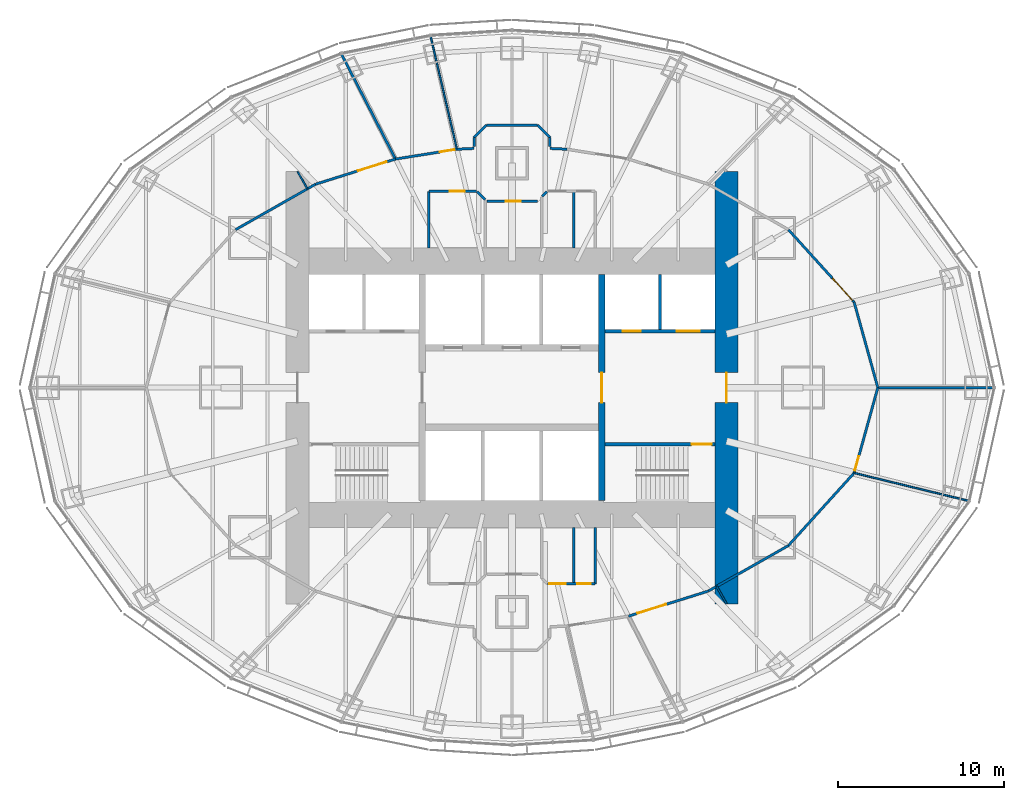
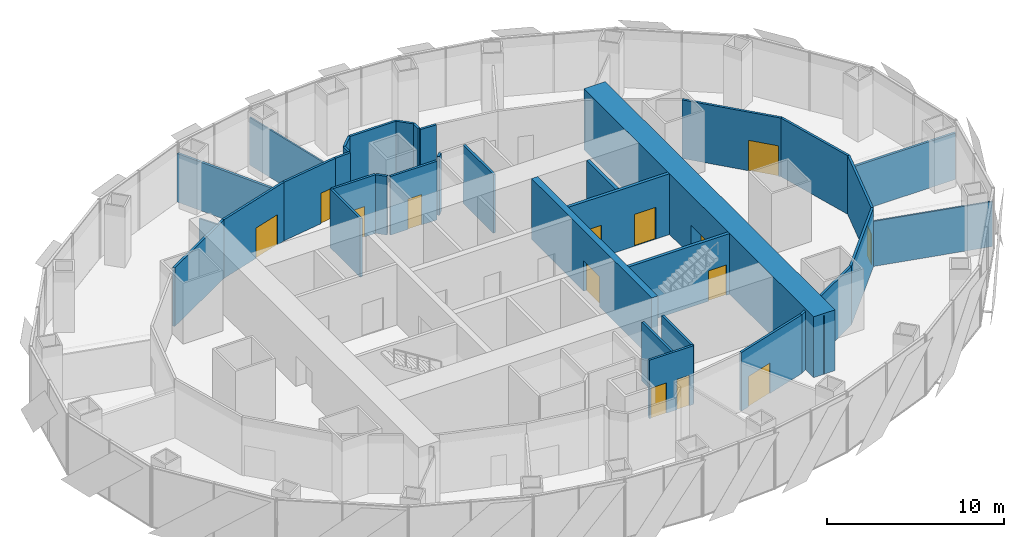
# One storey, part 12 of 18: 36 walls, 14 doors, 14 openings.
"""IFC4 building model written with IfcOpenShell, lengths in metres."""

from ifc_helpers import new_model, si_unit, direction, frame, frame_2d, origin, place, context, subcontext, project, spatial, rectangle, extrude, material, layer, layer_set, type_object, element, fill, save


model = new_model("IFC4")

# Units and contexts
model_context = context("Model", 3, precision=1e-05, world=origin(), true_north=direction((0.0, 1.0)))
body_context = subcontext(model_context, "Body", "Model", "MODEL_VIEW")
ifc_project = project(units=[si_unit("LENGTHUNIT", "METRE"), si_unit("AREAUNIT", "SQUARE_METRE"), si_unit("VOLUMEUNIT", "CUBIC_METRE"), si_unit("PLANEANGLEUNIT", "RADIAN"), si_unit("MASSUNIT", "GRAM", prefix="KILO")], contexts=[model_context])

# Site, building, storey
site_placement = place(None, origin())
site = spatial("IfcSite", under=ifc_project, at=site_placement, CompositionType="ELEMENT")
building_placement = place(site_placement, origin())
building = spatial("IfcBuilding", under=site, at=building_placement, Name="Lantaw Convention Tower", CompositionType="ELEMENT")
storey_placement = place(building_placement, frame((0.0, 0.0, 167.800048828125)))
storey = spatial("IfcBuildingStorey", under=building, at=storey_placement, Name="L39", CompositionType="ELEMENT", Elevation=167.800048828125)

# Wall, opening, door
ifc_material_1 = material(Name="Concrete C60/75", Category="concrete")
ifc_layer_1 = layer(ifc_material_1, 1.39990234375)
ifc_layer_set_1 = layer_set([ifc_layer_1], Name="Core wall 1400")
wall_type_1 = type_object("IfcWallType", Name="Core wall 1400", PredefinedType="SHEAR", material=ifc_layer_set_1)
wall_1_placement = place(storey_placement, frame((12.89990234375, -13.0, 0.0), z_axis=(0.0, 0.0, 1.0), x_axis=(0.0, 1.0, 0.0)))
wall_1 = element("IfcWall", 1, at=wall_1_placement, inside=storey, type_object=wall_type_1, Name="Core wall E", PredefinedType="SHEAR", context=body_context, shape_type="SweptSolid", body=[
    extrude(rectangle(XDim=26.0, YDim=1.39990234375, at=frame_2d((13.0, 0.0))), origin(), (0.0, 0.0, 1.0), 4.199951171875),
])
opening_1_placement = place(wall_1_placement, frame((12.10009765625, 0.0, 0.0)))
opening_1 = element("IfcOpeningElement", 2, at=opening_1_placement, cuts=wall_1, Name="Opening L39.05", PredefinedType="OPENING", context=body_context, shape_type="SweptSolid", body=[
    extrude(rectangle(XDim=1.800048828125, YDim=2.10009765625, at=frame_2d((0.89990234375, 1.050048828125))), frame((0.0, 0.7099609375, 0.0), z_axis=(0.0, -1.0, 0.0), x_axis=(1.0, 0.0, 0.0)), (0.0, 0.0, 1.0), 1.419921875),
])
ifc_material_2 = material(Name="Steel, fire rated", Category="steel")
door_type_1 = type_object("IfcDoorType", Name="Lobby double door FD90", OperationType="DOUBLE_DOOR_DOUBLE_SWING", PredefinedType="DOOR", material=ifc_material_2)
door_1_placement = place(opening_1_placement, origin())
door_1 = element("IfcDoor", 3, at=door_1_placement, inside=storey, type_object=door_type_1, Name="Firefighting lobby door", OperationType="DOUBLE_DOOR_DOUBLE_SWING", OverallHeight=2.10009765625, OverallWidth=1.800048828125, PredefinedType="DOOR", context=body_context, shape_type="SweptSolid", body=[
    extrude(rectangle(XDim=1.800048828125, YDim=2.10009765625, at=frame_2d((0.89990234375, 1.050048828125))), frame((0.0, 0.02490234375, 0.0), z_axis=(0.0, -1.0, 0.0), x_axis=(1.0, 0.0, 0.0)), (0.0, 0.0, 1.0), 0.050048828125),
])
fill(opening_1, door_1)

ifc_layer_2 = layer(ifc_material_1, 0.199951171875)
ifc_layer_set_2 = layer_set([ifc_layer_2], Name="Core wall 200")
wall_type_2 = type_object("IfcWallType", Name="Core wall 200", PredefinedType="SHEAR", material=ifc_layer_set_2)
wall_2_placement = place(storey_placement, frame((5.60009765625, -3.39990234375, 0.0), z_axis=(0.0, 0.0, 1.0), x_axis=(1.0, 0.0, 0.0)))
wall_2 = element("IfcWall", 4, at=wall_2_placement, inside=storey, type_object=wall_type_2, Name="Core wall ES", PredefinedType="SHEAR", context=body_context, shape_type="SweptSolid", body=[
    extrude(rectangle(XDim=6.599853515625, YDim=0.199951171875, at=frame_2d((3.2998046875, 0.0))), origin(), (0.0, 0.0, 1.0), 4.199951171875),
])
opening_2_placement = place(wall_2_placement, frame((5.199951171875, 0.0, 0.0)))
opening_2 = element("IfcOpeningElement", 5, at=opening_2_placement, cuts=wall_2, Name="Opening L39.03", PredefinedType="OPENING", context=body_context, shape_type="SweptSolid", body=[
    extrude(rectangle(XDim=1.199951171875, YDim=2.10009765625, at=frame_2d((0.60009765625, 1.050048828125))), frame((0.0, 0.10986328125, 0.0), z_axis=(0.0, -1.0, 0.0), x_axis=(1.0, 0.0, 0.0)), (0.0, 0.0, 1.0), 0.219970703125),
])
door_type_2 = type_object("IfcDoorType", Name="Stair door FD90", OperationType="SINGLE_SWING_RIGHT", PredefinedType="DOOR", material=ifc_material_2)
door_2_placement = place(opening_2_placement, origin())
door_2 = element("IfcDoor", 6, at=door_2_placement, inside=storey, type_object=door_type_2, Name="Exit stair door", OperationType="SINGLE_SWING_RIGHT", OverallHeight=2.10009765625, OverallWidth=1.199951171875, PredefinedType="DOOR", context=body_context, shape_type="SweptSolid", body=[
    extrude(rectangle(XDim=1.199951171875, YDim=2.10009765625, at=frame_2d((0.60009765625, 1.050048828125))), frame((0.0, 0.02490234375, 0.0), z_axis=(0.0, -1.0, 0.0), x_axis=(1.0, 0.0, 0.0)), (0.0, 0.0, 1.0), 0.050048828125),
])
fill(opening_2, door_2)

ifc_layer_3 = layer(ifc_material_1, 0.39990234375)
ifc_layer_set_3 = layer_set([ifc_layer_3], Name="Core wall 400")
wall_type_3 = type_object("IfcWallType", Name="Core wall 400", PredefinedType="SHEAR", material=ifc_layer_set_3)
wall_3_placement = place(storey_placement, frame((5.39990234375, -6.800048828125, 0.0), z_axis=(0.0, 0.0, 1.0), x_axis=(0.0, 1.0, 0.0)))
wall_3 = element("IfcWall", 7, at=wall_3_placement, inside=storey, type_object=wall_type_3, Name="Core wall XE", PredefinedType="SHEAR", context=body_context, shape_type="SweptSolid", body=[
    extrude(rectangle(XDim=13.60009765625, YDim=0.39990234375, at=frame_2d((6.800048828125, 0.0))), origin(), (0.0, 0.0, 1.0), 4.199951171875),
])
opening_3_placement = place(wall_3_placement, frame((5.89990234375, 0.0, 0.0)))
opening_3 = element("IfcOpeningElement", 8, at=opening_3_placement, cuts=wall_3, Name="Opening L39.01", PredefinedType="OPENING", context=body_context, shape_type="SweptSolid", body=[
    extrude(rectangle(XDim=1.800048828125, YDim=2.10009765625, at=frame_2d((0.89990234375, 1.050048828125))), frame((0.0, 0.2099609375, 0.0), z_axis=(0.0, -1.0, 0.0), x_axis=(1.0, 0.0, 0.0)), (0.0, 0.0, 1.0), 0.419921875),
])
door_3_placement = place(opening_3_placement, origin())
door_3 = element("IfcDoor", 9, at=door_3_placement, inside=storey, type_object=door_type_1, Name="Lift lobby door", OperationType="DOUBLE_DOOR_DOUBLE_SWING", OverallHeight=2.10009765625, OverallWidth=1.800048828125, PredefinedType="DOOR", context=body_context, shape_type="SweptSolid", body=[
    extrude(rectangle(XDim=1.800048828125, YDim=2.10009765625, at=frame_2d((0.89990234375, 1.050048828125))), frame((0.0, 0.02490234375, 0.0), z_axis=(0.0, -1.0, 0.0), x_axis=(1.0, 0.0, 0.0)), (0.0, 0.0, 1.0), 0.050048828125),
])
fill(opening_3, door_3)

# Wall
ifc_material_3 = material(Name="Gypsum board on steel studs, fire rated", Category="steel")
ifc_layer_4 = layer(ifc_material_3, 0.14990234375)
ifc_layer_set_4 = layer_set([ifc_layer_4], Name="Corridor wall 150 EI 60")
wall_type_4 = type_object("IfcWallType", Name="Corridor wall 150 EI 60", PredefinedType="PARTITIONING", material=ifc_layer_set_4)
wall_4_placement = place(storey_placement, frame((22.0, 0.0, 0.0), z_axis=(0.0, 0.0, 1.0), x_axis=(-0.267293817428, 0.963615076244, 0.0)))
element("IfcWall", 10, at=wall_4_placement, inside=storey, type_object=wall_type_4, Name="Corridor wall 150", PredefinedType="PARTITIONING", context=body_context, shape_type="SweptSolid", body=[
    extrude(rectangle(XDim=5.323974609375, YDim=0.14990234375, at=frame_2d((2.662109375, 0.0))), origin(), (0.0, 0.0, 1.0), 4.050048828125),
])

# Wall, opening, door
wall_5_placement = place(storey_placement, frame((20.576904296875, 5.13037109375, 0.0), z_axis=(0.0, 0.0, 1.0), x_axis=(-0.671118353743, 0.741350224435, 0.0)))
wall_5 = element("IfcWall", 11, at=wall_5_placement, inside=storey, type_object=wall_type_4, Name="Corridor wall 150", PredefinedType="PARTITIONING", context=body_context, shape_type="SweptSolid", body=[
    extrude(rectangle(XDim=5.89208984375, YDim=0.14990234375, at=frame_2d((2.946044921875, 0.0))), origin(), (0.0, 0.0, 1.0), 4.050048828125),
])
opening_4_placement = place(wall_5_placement, frame((0.14990234375, 0.0, 0.0)))
opening_4 = element("IfcOpeningElement", 12, at=opening_4_placement, cuts=wall_5, Name="Opening L39.22", PredefinedType="OPENING", context=body_context, shape_type="SweptSolid", body=[
    extrude(rectangle(XDim=1.800048828125, YDim=2.10009765625, at=frame_2d((0.89990234375, 1.050048828125))), frame((0.0, 0.0849609375, 0.0), z_axis=(0.0, -1.0, 0.0), x_axis=(1.0, 0.0, 0.0)), (0.0, 0.0, 1.0), 0.169921875),
])
door_type_3 = type_object("IfcDoorType", Name="Office double door 1800 FD30", OperationType="DOUBLE_DOOR_DOUBLE_SWING", PredefinedType="DOOR", material=ifc_material_2)
door_4_placement = place(opening_4_placement, origin())
door_4 = element("IfcDoor", 13, at=door_4_placement, inside=storey, type_object=door_type_3, Name="Tenant suite door", OperationType="DOUBLE_DOOR_DOUBLE_SWING", OverallHeight=2.10009765625, OverallWidth=1.800048828125, PredefinedType="DOOR", context=body_context, shape_type="SweptSolid", body=[
    extrude(rectangle(XDim=1.800048828125, YDim=2.10009765625, at=frame_2d((0.89990234375, 1.050048828125))), frame((0.0, 0.02490234375, 0.0), z_axis=(0.0, -1.0, 0.0), x_axis=(1.0, 0.0, 0.0)), (0.0, 0.0, 1.0), 0.050048828125),
])
fill(opening_4, door_4)

wall_6_placement = place(storey_placement, frame((-3.3095703125, 14.3349609375, 0.0), z_axis=(0.0, 0.0, 1.0), x_axis=(-0.987511396594, -0.157547585181, 0.0)))
wall_6 = element("IfcWall", 14, at=wall_6_placement, inside=storey, type_object=wall_type_4, Name="Corridor wall 150", PredefinedType="PARTITIONING", context=body_context, shape_type="SweptSolid", body=[
    extrude(rectangle(XDim=3.74072265625, YDim=0.14990234375, at=frame_2d((1.870361328125, 0.0))), origin(), (0.0, 0.0, 1.0), 4.050048828125),
])
opening_5_placement = place(wall_6_placement, frame((0.14990234375, 0.0, 0.0)))
opening_5 = element("IfcOpeningElement", 15, at=opening_5_placement, cuts=wall_6, Name="Opening L39.25", PredefinedType="OPENING", context=body_context, shape_type="SweptSolid", body=[
    extrude(rectangle(XDim=0.89990234375, YDim=2.10009765625, at=frame_2d((0.449951171875, 1.050048828125))), frame((0.0, 0.0849609375, 0.0), z_axis=(0.0, -1.0, 0.0), x_axis=(1.0, 0.0, 0.0)), (0.0, 0.0, 1.0), 0.169921875),
])
door_type_4 = type_object("IfcDoorType", Name="Office door 900 FD30", OperationType="SINGLE_SWING_LEFT", PredefinedType="DOOR", material=ifc_material_2)
door_5_placement = place(opening_5_placement, origin())
door_5 = element("IfcDoor", 16, at=door_5_placement, inside=storey, type_object=door_type_4, Name="Meeting room door", OperationType="SINGLE_SWING_LEFT", OverallHeight=2.10009765625, OverallWidth=0.89990234375, PredefinedType="DOOR", context=body_context, shape_type="SweptSolid", body=[
    extrude(rectangle(XDim=0.89990234375, YDim=2.10009765625, at=frame_2d((0.449951171875, 1.050048828125))), frame((0.0, 0.02490234375, 0.0), z_axis=(0.0, -1.0, 0.0), x_axis=(1.0, 0.0, 0.0)), (0.0, 0.0, 1.0), 0.050048828125),
])
fill(opening_5, door_5)

wall_7_placement = place(storey_placement, frame((-7.003662109375, 13.74560546875, 0.0), z_axis=(0.0, 0.0, 1.0), x_axis=(-0.953893934057, -0.300143903101, 0.0)))
wall_7 = element("IfcWall", 17, at=wall_7_placement, inside=storey, type_object=wall_type_4, Name="Corridor wall 150", PredefinedType="PARTITIONING", context=body_context, shape_type="SweptSolid", body=[
    extrude(rectangle(XDim=5.04150390625, YDim=0.14990234375, at=frame_2d((2.520751953125, 0.0))), origin(), (0.0, 0.0, 1.0), 4.050048828125),
])
opening_6_placement = place(wall_7_placement, frame((0.5703125, 0.0, 0.0)))
opening_6 = element("IfcOpeningElement", 18, at=opening_6_placement, cuts=wall_7, Name="Opening L39.26", PredefinedType="OPENING", context=body_context, shape_type="SweptSolid", body=[
    extrude(rectangle(XDim=1.800048828125, YDim=2.10009765625, at=frame_2d((0.89990234375, 1.050048828125))), frame((0.0, 0.0849609375, 0.0), z_axis=(0.0, -1.0, 0.0), x_axis=(1.0, 0.0, 0.0)), (0.0, 0.0, 1.0), 0.169921875),
])
door_6_placement = place(opening_6_placement, origin())
door_6 = element("IfcDoor", 19, at=door_6_placement, inside=storey, type_object=door_type_3, Name="Tenant suite door", OperationType="DOUBLE_DOOR_DOUBLE_SWING", OverallHeight=2.10009765625, OverallWidth=1.800048828125, PredefinedType="DOOR", context=body_context, shape_type="SweptSolid", body=[
    extrude(rectangle(XDim=1.800048828125, YDim=2.10009765625, at=frame_2d((0.89990234375, 1.050048828125))), frame((0.0, 0.02490234375, 0.0), z_axis=(0.0, -1.0, 0.0), x_axis=(1.0, 0.0, 0.0)), (0.0, 0.0, 1.0), 0.050048828125),
])
fill(opening_6, door_6)

# Wall
wall_8_placement = place(storey_placement, frame((-11.812744140625, 12.232421875, 0.0), z_axis=(0.0, 0.0, 1.0), x_axis=(-0.869375991036, -0.494151177485, 0.0)))
element("IfcWall", 20, at=wall_8_placement, inside=storey, type_object=wall_type_4, Name="Corridor wall 150", PredefinedType="PARTITIONING", context=body_context, shape_type="SweptSolid", body=[
    extrude(rectangle(XDim=5.532470703125, YDim=0.14990234375, at=frame_2d((2.76611328125, 0.0))), origin(), (0.0, 0.0, 1.0), 4.050048828125),
])

# Wall, opening, door
wall_9_placement = place(storey_placement, frame((7.003662109375, -13.74560546875, 0.0), z_axis=(0.0, 0.0, 1.0), x_axis=(0.953893934057, 0.300143903101, 0.0)))
wall_9 = element("IfcWall", 21, at=wall_9_placement, inside=storey, type_object=wall_type_4, Name="Corridor wall 150", PredefinedType="PARTITIONING", context=body_context, shape_type="SweptSolid", body=[
    extrude(rectangle(XDim=5.04150390625, YDim=0.14990234375, at=frame_2d((2.520751953125, 0.0))), origin(), (0.0, 0.0, 1.0), 4.050048828125),
])
opening_7_placement = place(wall_9_placement, frame((0.5703125, 0.0, 0.0)))
opening_7 = element("IfcOpeningElement", 22, at=opening_7_placement, cuts=wall_9, Name="Opening L39.32", PredefinedType="OPENING", context=body_context, shape_type="SweptSolid", body=[
    extrude(rectangle(XDim=1.800048828125, YDim=2.10009765625, at=frame_2d((0.89990234375, 1.050048828125))), frame((0.0, 0.0849609375, 0.0), z_axis=(0.0, -1.0, 0.0), x_axis=(1.0, 0.0, 0.0)), (0.0, 0.0, 1.0), 0.169921875),
])
door_7_placement = place(opening_7_placement, origin())
door_7 = element("IfcDoor", 23, at=door_7_placement, inside=storey, type_object=door_type_3, Name="Tenant suite door", OperationType="DOUBLE_DOOR_DOUBLE_SWING", OverallHeight=2.10009765625, OverallWidth=1.800048828125, PredefinedType="DOOR", context=body_context, shape_type="SweptSolid", body=[
    extrude(rectangle(XDim=1.800048828125, YDim=2.10009765625, at=frame_2d((0.89990234375, 1.050048828125))), frame((0.0, 0.02490234375, 0.0), z_axis=(0.0, -1.0, 0.0), x_axis=(1.0, 0.0, 0.0)), (0.0, 0.0, 1.0), 0.050048828125),
])
fill(opening_7, door_7)

# Walls
wall_10_placement = place(storey_placement, frame((11.812744140625, -12.232421875, 0.0), z_axis=(0.0, 0.0, 1.0), x_axis=(0.869375991036, 0.494151177485, 0.0)))
element("IfcWall", 24, at=wall_10_placement, inside=storey, type_object=wall_type_4, Name="Corridor wall 150", PredefinedType="PARTITIONING", context=body_context, shape_type="SweptSolid", body=[
    extrude(rectangle(XDim=5.532470703125, YDim=0.14990234375, at=frame_2d((2.76611328125, 0.0))), origin(), (0.0, 0.0, 1.0), 4.050048828125),
])
wall_11_placement = place(storey_placement, frame((16.62255859375, -9.49853515625, 0.0), z_axis=(0.0, 0.0, 1.0), x_axis=(0.671118353743, 0.741350224435, 0.0)))
element("IfcWall", 25, at=wall_11_placement, inside=storey, type_object=wall_type_4, Name="Corridor wall 150", PredefinedType="PARTITIONING", context=body_context, shape_type="SweptSolid", body=[
    extrude(rectangle(XDim=5.89208984375, YDim=0.14990234375, at=frame_2d((2.946044921875, 0.0))), origin(), (0.0, 0.0, 1.0), 4.050048828125),
])

# Wall, opening, door
wall_12_placement = place(storey_placement, frame((20.576904296875, -5.13037109375, 0.0), z_axis=(0.0, 0.0, 1.0), x_axis=(0.267293817428, 0.963615076244, 0.0)))
wall_12 = element("IfcWall", 26, at=wall_12_placement, inside=storey, type_object=wall_type_4, Name="Corridor wall 150", PredefinedType="PARTITIONING", context=body_context, shape_type="SweptSolid", body=[
    extrude(rectangle(XDim=5.323974609375, YDim=0.14990234375, at=frame_2d((2.662109375, 0.0))), origin(), (0.0, 0.0, 1.0), 4.050048828125),
])
opening_8_placement = place(wall_12_placement, frame((0.14990234375, 0.0, 0.0)))
opening_8 = element("IfcOpeningElement", 27, at=opening_8_placement, cuts=wall_12, Name="Opening L39.33", PredefinedType="OPENING", context=body_context, shape_type="SweptSolid", body=[
    extrude(rectangle(XDim=0.89990234375, YDim=2.10009765625, at=frame_2d((0.449951171875, 1.050048828125))), frame((0.0, 0.0849609375, 0.0), z_axis=(0.0, -1.0, 0.0), x_axis=(1.0, 0.0, 0.0)), (0.0, 0.0, 1.0), 0.169921875),
])
door_8_placement = place(opening_8_placement, origin())
door_8 = element("IfcDoor", 28, at=door_8_placement, inside=storey, type_object=door_type_4, Name="Meeting room door", OperationType="SINGLE_SWING_LEFT", OverallHeight=2.10009765625, OverallWidth=0.89990234375, PredefinedType="DOOR", context=body_context, shape_type="SweptSolid", body=[
    extrude(rectangle(XDim=0.89990234375, YDim=2.10009765625, at=frame_2d((0.449951171875, 1.050048828125))), frame((0.0, 0.02490234375, 0.0), z_axis=(0.0, -1.0, 0.0), x_axis=(1.0, 0.0, 0.0)), (0.0, 0.0, 1.0), 0.050048828125),
])
fill(opening_8, door_8)

# Walls
for number, where, z_axis, x_axis, name in (
    (29, (3.3095703125, 14.3349609375, 0.0), (0.0, 0.0, 1.0), (-0.998761909217, 0.049745841003, 0.0), "Corridor wall 150"),
    (30, (-2.294921875, 14.385498046875, 0.0), (0.0, 0.0, 1.0), (-0.998761909217, -0.049745841003, 0.0), "Corridor wall 150"),
):
    element("IfcWall", number, at=place(storey_placement, frame(where, z_axis=z_axis, x_axis=x_axis)), inside=storey, type_object=wall_type_4, Name=name, PredefinedType="PARTITIONING", context=body_context, shape_type="SweptSolid", body=[
        extrude(rectangle(XDim=1.015869140625, YDim=0.14990234375, at=frame_2d((0.5078125, 0.0))), origin(), (0.0, 0.0, 1.0), 4.050048828125),
    ])
wall_13_placement = place(storey_placement, frame((-2.284912109375, 14.487060546875, 0.0), z_axis=(0.0, 0.0, 1.0), x_axis=(0.0, 1.0, 0.0)))
element("IfcWall", 31, at=wall_13_placement, inside=storey, type_object=wall_type_4, Name="Corridor wall 150", PredefinedType="PARTITIONING", context=body_context, shape_type="SweptSolid", body=[
    extrude(rectangle(XDim=0.545166015625, YDim=0.14990234375, at=frame_2d((0.2724609375, 0.0))), origin(), (0.0, 0.0, 1.0), 4.050048828125),
])
wall_14_placement = place(storey_placement, frame((-2.284912109375, 15.0322265625, 0.0), z_axis=(0.0, 0.0, 1.0), x_axis=(0.707106781187, 0.707106781187, 0.0)))
element("IfcWall", 32, at=wall_14_placement, inside=storey, type_object=wall_type_4, Name="Corridor wall 150", PredefinedType="PARTITIONING", context=body_context, shape_type="SweptSolid", body=[
    extrude(rectangle(XDim=1.064453125, YDim=0.14990234375, at=frame_2d((0.5322265625, 0.0))), origin(), (0.0, 0.0, 1.0), 4.050048828125),
])
wall_15_placement = place(storey_placement, frame((-1.5322265625, 15.784912109375, 0.0), z_axis=(0.0, 0.0, 1.0), x_axis=(1.0, 0.0, 0.0)))
element("IfcWall", 33, at=wall_15_placement, inside=storey, type_object=wall_type_4, Name="Corridor wall 150", PredefinedType="PARTITIONING", context=body_context, shape_type="SweptSolid", body=[
    extrude(rectangle(XDim=3.064453125, YDim=0.14990234375, at=frame_2d((1.5322265625, 0.0))), origin(), (0.0, 0.0, 1.0), 4.050048828125),
])
wall_16_placement = place(storey_placement, frame((1.5322265625, 15.784912109375, 0.0), z_axis=(0.0, 0.0, 1.0), x_axis=(0.707106781187, -0.707106781187, 0.0)))
element("IfcWall", 34, at=wall_16_placement, inside=storey, type_object=wall_type_4, Name="Corridor wall 150", PredefinedType="PARTITIONING", context=body_context, shape_type="SweptSolid", body=[
    extrude(rectangle(XDim=1.064453125, YDim=0.14990234375, at=frame_2d((0.5322265625, 0.0))), origin(), (0.0, 0.0, 1.0), 4.050048828125),
])
wall_17_placement = place(storey_placement, frame((2.284912109375, 15.0322265625, 0.0), z_axis=(0.0, 0.0, 1.0), x_axis=(0.0, -1.0, 0.0)))
element("IfcWall", 35, at=wall_17_placement, inside=storey, type_object=wall_type_4, Name="Corridor wall 150", PredefinedType="PARTITIONING", context=body_context, shape_type="SweptSolid", body=[
    extrude(rectangle(XDim=0.545166015625, YDim=0.14990234375, at=frame_2d((0.2724609375, 0.0))), origin(), (0.0, 0.0, 1.0), 4.050048828125),
])
ifc_material_4 = material(Name="Gypsum board on steel studs, acoustic", Category="steel")
ifc_layer_5 = layer(ifc_material_4, 0.10009765625)
ifc_layer_set_5 = layer_set([ifc_layer_5], Name="Office partition 100")
wall_type_5 = type_object("IfcWallType", Name="Office partition 100", PredefinedType="PARTITIONING", material=ifc_layer_set_5)
wall_18_placement = place(storey_placement, frame((-4.89697265625, 21.134765625, 0.0), z_axis=(0.0, 0.0, 1.0), x_axis=(0.22733572198, -0.973816445493, 0.0)))
element("IfcWall", 36, at=wall_18_placement, inside=storey, type_object=wall_type_5, Name="Office partition 100", PredefinedType="PARTITIONING", context=body_context, shape_type="SweptSolid", body=[
    extrude(rectangle(XDim=6.982666015625, YDim=0.10009765625, at=frame_2d((3.4912109375, 0.0))), origin(), (0.0, 0.0, 1.0), 3.29296875),
])
wall_19_placement = place(storey_placement, frame((27.440673828125, -6.808837890625, 0.0), z_axis=(0.0, 0.0, 1.0), x_axis=(-0.971377572955, 0.237540755996, 0.0)))
element("IfcWall", 37, at=wall_19_placement, inside=storey, type_object=wall_type_5, Name="Office partition 100", PredefinedType="PARTITIONING", context=body_context, shape_type="SweptSolid", body=[
    extrude(rectangle(XDim=7.06591796875, YDim=0.10009765625, at=frame_2d((3.532958984375, 0.0))), origin(), (0.0, 0.0, 1.0), 3.11279296875),
])
for number, where, z_axis, x_axis, name in (
    (38, (12.89990234375, -13.0, 0.0), (0.0, 0.0, 1.0), (-0.494173075358, 0.869363543974, 0.0), "Office partition 100"),
    (39, (-12.89990234375, 13.0, 0.0), (0.0, 0.0, 1.0), (0.494173075358, -0.869363543974, 0.0), "Office partition 100"),
):
    element("IfcWall", number, at=place(storey_placement, frame(where, z_axis=z_axis, x_axis=x_axis)), inside=storey, type_object=wall_type_5, Name=name, PredefinedType="PARTITIONING", context=body_context, shape_type="SweptSolid", body=[
        extrude(rectangle(XDim=1.204345703125, YDim=0.10009765625, at=frame_2d((0.60205078125, 0.0))), origin(), (0.0, 0.0, 1.0), 4.050048828125),
    ])

# Wall, openings, doors
ifc_material_5 = material(Name="Concrete blockwork, fire rated", Category="masonry")
ifc_layer_6 = layer(ifc_material_5, 0.199951171875)
ifc_layer_set_6 = layer_set([ifc_layer_6], Name="Shaft wall 200")
wall_type_6 = type_object("IfcWallType", Name="Shaft wall 200", PredefinedType="SOLIDWALL", material=ifc_layer_set_6)
wall_20_placement = place(storey_placement, frame((12.199951171875, 3.39990234375, 0.0), z_axis=(0.0, 0.0, 1.0), x_axis=(-1.0, 0.0, 0.0)))
wall_20 = element("IfcWall", 40, at=wall_20_placement, inside=storey, type_object=wall_type_6, Name="Shaft wall EN", PredefinedType="SOLIDWALL", context=body_context, shape_type="SweptSolid", body=[
    extrude(rectangle(XDim=6.599853515625, YDim=0.199951171875, at=frame_2d((3.2998046875, 0.0))), origin(), (0.0, 0.0, 1.0), 4.199951171875),
])
opening_9_placement = place(wall_20_placement, frame((4.449951171875, 0.0, 0.0)))
opening_9 = element("IfcOpeningElement", 41, at=opening_9_placement, cuts=wall_20, Name="Opening L39.12", PredefinedType="OPENING", context=body_context, shape_type="SweptSolid", body=[
    extrude(rectangle(XDim=1.10009765625, YDim=2.199951171875, at=frame_2d((0.550048828125, 1.10009765625))), frame((0.0, 0.10986328125, 0.0), z_axis=(0.0, -1.0, 0.0), x_axis=(1.0, 0.0, 0.0)), (0.0, 0.0, 1.0), 0.219970703125),
])
opening_10_placement = place(wall_20_placement, frame((0.89990234375, 0.0, 0.0)))
opening_10 = element("IfcOpeningElement", 42, at=opening_10_placement, cuts=wall_20, Name="Opening L39.13", PredefinedType="OPENING", context=body_context, shape_type="SweptSolid", body=[
    extrude(rectangle(XDim=1.39990234375, YDim=2.199951171875, at=frame_2d((0.699951171875, 1.10009765625))), frame((0.0, 0.10986328125, 0.0), z_axis=(0.0, -1.0, 0.0), x_axis=(1.0, 0.0, 0.0)), (0.0, 0.0, 1.0), 0.219970703125),
])
ifc_material_6 = material(Name="Stainless steel", Category="steel")
door_type_5 = type_object("IfcDoorType", Name="Lift landing door 1100", OperationType="DOUBLE_DOOR_SLIDING", PredefinedType="DOOR", material=ifc_material_6)
door_9_placement = place(opening_9_placement, origin())
door_9 = element("IfcDoor", 43, at=door_9_placement, inside=storey, type_object=door_type_5, Name="Lift landing door FF2", OperationType="DOUBLE_DOOR_SLIDING", OverallHeight=2.199951171875, OverallWidth=1.10009765625, PredefinedType="DOOR", context=body_context, shape_type="SweptSolid", body=[
    extrude(rectangle(XDim=1.10009765625, YDim=2.199951171875, at=frame_2d((0.550048828125, 1.10009765625))), frame((0.0, 0.02490234375, 0.0), z_axis=(0.0, -1.0, 0.0), x_axis=(1.0, 0.0, 0.0)), (0.0, 0.0, 1.0), 0.050048828125),
])
fill(opening_9, door_9)
door_type_6 = type_object("IfcDoorType", Name="Lift landing door 1400", OperationType="DOUBLE_DOOR_SLIDING", PredefinedType="DOOR", material=ifc_material_6)
door_10_placement = place(opening_10_placement, origin())
door_10 = element("IfcDoor", 44, at=door_10_placement, inside=storey, type_object=door_type_6, Name="Lift landing door SV2", OperationType="DOUBLE_DOOR_SLIDING", OverallHeight=2.199951171875, OverallWidth=1.39990234375, PredefinedType="DOOR", context=body_context, shape_type="SweptSolid", body=[
    extrude(rectangle(XDim=1.39990234375, YDim=2.199951171875, at=frame_2d((0.699951171875, 1.10009765625))), frame((0.0, 0.02490234375, 0.0), z_axis=(0.0, -1.0, 0.0), x_axis=(1.0, 0.0, 0.0)), (0.0, 0.0, 1.0), 0.050048828125),
])
fill(opening_10, door_10)

# Walls
wall_21_placement = place(storey_placement, frame((8.89990234375, 3.5, 0.0), z_axis=(0.0, 0.0, 1.0), x_axis=(0.0, 1.0, 0.0)))
element("IfcWall", 45, at=wall_21_placement, inside=storey, type_object=wall_type_6, Name="Shaft wall ED", PredefinedType="SOLIDWALL", context=body_context, shape_type="SweptSolid", body=[
    extrude(rectangle(XDim=3.300048828125, YDim=0.199951171875, at=frame_2d((1.64990234375, 0.0))), origin(), (0.0, 0.0, 1.0), 4.199951171875),
])
ifc_layer_7 = layer(ifc_material_3, 0.14990234375)
ifc_layer_set_7 = layer_set([ifc_layer_7], Name="Tenant separation wall 150 EI 60")
wall_type_7 = type_object("IfcWallType", Name="Tenant separation wall 150 EI 60", PredefinedType="PARTITIONING", material=ifc_layer_set_7)
wall_22_placement = place(storey_placement, frame((28.944091796875, 0.0, 0.0), z_axis=(0.0, 0.0, 1.0), x_axis=(-1.0, 0.0, 0.0)))
element("IfcWall", 46, at=wall_22_placement, inside=storey, type_object=wall_type_7, Name="Tenant separation wall 150", PredefinedType="PARTITIONING", context=body_context, shape_type="SweptSolid", body=[
    extrude(rectangle(XDim=6.944091796875, YDim=0.14990234375, at=frame_2d((3.47216796875, 0.0))), origin(), (0.0, 0.0, 1.0), 3.2041015625),
])
wall_23_placement = place(storey_placement, frame((-10.25341796875, 20.0517578125, 0.0), z_axis=(0.0, 0.0, 1.0), x_axis=(0.458082677592, -0.888909590729, 0.0)))
element("IfcWall", 47, at=wall_23_placement, inside=storey, type_object=wall_type_7, Name="Tenant separation wall 150", PredefinedType="PARTITIONING", context=body_context, shape_type="SweptSolid", body=[
    extrude(rectangle(XDim=7.09423828125, YDim=0.14990234375, at=frame_2d((3.547119140625, 0.0))), origin(), (0.0, 0.0, 1.0), 3.348876953125),
])
ifc_material_7 = material(Name="Concrete blockwork", Category="masonry")
ifc_layer_8 = layer(ifc_material_7, 0.14990234375)
ifc_layer_set_8 = layer_set([ifc_layer_8], Name="WC wall 150")
wall_type_8 = type_object("IfcWallType", Name="WC wall 150", PredefinedType="SOLIDWALL", material=ifc_layer_set_8)
for number, where, z_axis, x_axis, name in (
    (48, (-5.0, 8.39990234375, 0.0), (0.0, 0.0, 1.0), (0.0, 1.0, 0.0), "WC wall 150"),
    (49, (3.699951171875, 8.39990234375, 0.0), (0.0, 0.0, 1.0), (0.0, 1.0, 0.0), "WC wall 150"),
    (50, (5.0, -8.39990234375, 0.0), (0.0, 0.0, 1.0), (0.0, -1.0, 0.0), "WC wall 150"),
    (51, (3.699951171875, -8.39990234375, 0.0), (0.0, 0.0, 1.0), (0.0, -1.0, 0.0), "WC wall 150"),
):
    element("IfcWall", number, at=place(storey_placement, frame(where, z_axis=z_axis, x_axis=x_axis)), inside=storey, type_object=wall_type_8, Name=name, PredefinedType="SOLIDWALL", context=body_context, shape_type="SweptSolid", body=[
        extrude(rectangle(XDim=3.400146484375, YDim=0.14990234375, at=frame_2d((1.7001953125, 0.0))), origin(), (0.0, 0.0, 1.0), 4.050048828125),
    ])

# Wall, openings, doors
wall_24_placement = place(storey_placement, frame((2.13134765625, -11.800048828125, 0.0), z_axis=(0.0, 0.0, 1.0), x_axis=(1.0, 0.0, 0.0)))
wall_24 = element("IfcWall", 52, at=wall_24_placement, inside=storey, type_object=wall_type_8, Name="WC wall 150", PredefinedType="SOLIDWALL", context=body_context, shape_type="SweptSolid", body=[
    extrude(rectangle(XDim=2.86865234375, YDim=0.14990234375, at=frame_2d((1.434326171875, 0.0))), origin(), (0.0, 0.0, 1.0), 4.050048828125),
])
opening_11_placement = place(wall_24_placement, frame((0.10009765625, 0.0, 0.0)))
opening_11 = element("IfcOpeningElement", 53, at=opening_11_placement, cuts=wall_24, Name="Opening L39.20", PredefinedType="OPENING", context=body_context, shape_type="SweptSolid", body=[
    extrude(rectangle(XDim=1.0, YDim=2.10009765625, at=frame_2d((0.5, 1.050048828125))), frame((0.0, 0.0849609375, 0.0), z_axis=(0.0, -1.0, 0.0), x_axis=(1.0, 0.0, 0.0)), (0.0, 0.0, 1.0), 0.169921875),
])
opening_12_placement = place(wall_24_placement, frame((1.800048828125, 0.0, 0.0)))
opening_12 = element("IfcOpeningElement", 54, at=opening_12_placement, cuts=wall_24, Name="Opening L39.21", PredefinedType="OPENING", context=body_context, shape_type="SweptSolid", body=[
    extrude(rectangle(XDim=0.800048828125, YDim=2.10009765625, at=frame_2d((0.39990234375, 1.050048828125))), frame((0.0, 0.0849609375, 0.0), z_axis=(0.0, -1.0, 0.0), x_axis=(1.0, 0.0, 0.0)), (0.0, 0.0, 1.0), 0.169921875),
])
ifc_material_8 = material(Name="Timber", Category="wood")
door_type_7 = type_object("IfcDoorType", Name="Accessible WC door 1000", OperationType="SINGLE_SWING_LEFT", PredefinedType="DOOR", material=ifc_material_8)
door_11_placement = place(opening_11_placement, origin())
door_11 = element("IfcDoor", 55, at=door_11_placement, inside=storey, type_object=door_type_7, Name="Accessible WC door", OperationType="SINGLE_SWING_LEFT", OverallHeight=2.10009765625, OverallWidth=1.0, PredefinedType="DOOR", context=body_context, shape_type="SweptSolid", body=[
    extrude(rectangle(XDim=1.0, YDim=2.10009765625, at=frame_2d((0.5, 1.050048828125))), frame((0.0, 0.02490234375, 0.0), z_axis=(0.0, -1.0, 0.0), x_axis=(1.0, 0.0, 0.0)), (0.0, 0.0, 1.0), 0.050048828125),
])
fill(opening_11, door_11)
door_type_8 = type_object("IfcDoorType", Name="WC door 800", OperationType="SINGLE_SWING_LEFT", PredefinedType="DOOR", material=ifc_material_8)
door_12_placement = place(opening_12_placement, origin())
door_12 = element("IfcDoor", 56, at=door_12_placement, inside=storey, type_object=door_type_8, Name="Pantry door", OperationType="SINGLE_SWING_LEFT", OverallHeight=2.10009765625, OverallWidth=0.800048828125, PredefinedType="DOOR", context=body_context, shape_type="SweptSolid", body=[
    extrude(rectangle(XDim=0.800048828125, YDim=2.10009765625, at=frame_2d((0.39990234375, 1.050048828125))), frame((0.0, 0.02490234375, 0.0), z_axis=(0.0, -1.0, 0.0), x_axis=(1.0, 0.0, 0.0)), (0.0, 0.0, 1.0), 0.050048828125),
])
fill(opening_12, door_12)

# Wall, opening, door
wall_25_placement = place(storey_placement, frame((-5.0, 11.800048828125, 0.0), z_axis=(0.0, 0.0, 1.0), x_axis=(1.0, 0.0, 0.0)))
wall_25 = element("IfcWall", 57, at=wall_25_placement, inside=storey, type_object=wall_type_8, Name="WC wall 150", PredefinedType="SOLIDWALL", context=body_context, shape_type="SweptSolid", body=[
    extrude(rectangle(XDim=2.86865234375, YDim=0.14990234375, at=frame_2d((1.434326171875, 0.0))), origin(), (0.0, 0.0, 1.0), 4.050048828125),
])
opening_13_placement = place(wall_25_placement, frame((1.25, 0.0, 0.0)))
opening_13 = element("IfcOpeningElement", 58, at=opening_13_placement, cuts=wall_25, Name="Opening L39.14", PredefinedType="OPENING", context=body_context, shape_type="SweptSolid", body=[
    extrude(rectangle(XDim=0.89990234375, YDim=2.10009765625, at=frame_2d((0.449951171875, 1.050048828125))), frame((0.0, 0.0849609375, 0.0), z_axis=(0.0, -1.0, 0.0), x_axis=(1.0, 0.0, 0.0)), (0.0, 0.0, 1.0), 0.169921875),
])
door_type_9 = type_object("IfcDoorType", Name="WC door 900", OperationType="SINGLE_SWING_LEFT", PredefinedType="DOOR", material=ifc_material_8)
door_13_placement = place(opening_13_placement, origin())
door_13 = element("IfcDoor", 59, at=door_13_placement, inside=storey, type_object=door_type_9, Name="Male WC door", OperationType="SINGLE_SWING_LEFT", OverallHeight=2.10009765625, OverallWidth=0.89990234375, PredefinedType="DOOR", context=body_context, shape_type="SweptSolid", body=[
    extrude(rectangle(XDim=0.89990234375, YDim=2.10009765625, at=frame_2d((0.449951171875, 1.050048828125))), frame((0.0, 0.02490234375, 0.0), z_axis=(0.0, -1.0, 0.0), x_axis=(1.0, 0.0, 0.0)), (0.0, 0.0, 1.0), 0.050048828125),
])
fill(opening_13, door_13)

# Wall
wall_26_placement = place(storey_placement, frame((-1.615966796875, 11.298583984375, 0.0), z_axis=(0.0, 0.0, 1.0), x_axis=(-0.706928959799, 0.707284557867, 0.0)))
element("IfcWall", 60, at=wall_26_placement, inside=storey, type_object=wall_type_8, Name="WC wall 150", PredefinedType="SOLIDWALL", context=body_context, shape_type="SweptSolid", body=[
    extrude(rectangle(XDim=0.6865234375, YDim=0.14990234375, at=frame_2d((0.34326171875, 0.0))), origin(), (0.0, 0.0, 1.0), 4.050048828125),
])

# Wall, opening, door
wall_27_placement = place(storey_placement, frame((1.5322265625, 11.215087890625, 0.0), z_axis=(0.0, 0.0, 1.0), x_axis=(-1.0, 0.0, 0.0)))
wall_27 = element("IfcWall", 61, at=wall_27_placement, inside=storey, type_object=wall_type_8, Name="WC wall 150", PredefinedType="SOLIDWALL", context=body_context, shape_type="SweptSolid", body=[
    extrude(rectangle(XDim=3.02734375, YDim=0.14990234375, at=frame_2d((1.513671875, 0.0))), origin(), (0.0, 0.0, 1.0), 4.050048828125),
])
opening_14_placement = place(wall_27_placement, frame((1.0, 0.0, 0.0)))
opening_14 = element("IfcOpeningElement", 62, at=opening_14_placement, cuts=wall_27, Name="Opening L39.15", PredefinedType="OPENING", context=body_context, shape_type="SweptSolid", body=[
    extrude(rectangle(XDim=0.89990234375, YDim=2.10009765625, at=frame_2d((0.449951171875, 1.050048828125))), frame((0.0, 0.0849609375, 0.0), z_axis=(0.0, -1.0, 0.0), x_axis=(1.0, 0.0, 0.0)), (0.0, 0.0, 1.0), 0.169921875),
])
door_14_placement = place(opening_14_placement, origin())
door_14 = element("IfcDoor", 63, at=door_14_placement, inside=storey, type_object=door_type_9, Name="Female WC door", OperationType="SINGLE_SWING_LEFT", OverallHeight=2.10009765625, OverallWidth=0.89990234375, PredefinedType="DOOR", context=body_context, shape_type="SweptSolid", body=[
    extrude(rectangle(XDim=0.89990234375, YDim=2.10009765625, at=frame_2d((0.449951171875, 1.050048828125))), frame((0.0, 0.02490234375, 0.0), z_axis=(0.0, -1.0, 0.0), x_axis=(1.0, 0.0, 0.0)), (0.0, 0.0, 1.0), 0.050048828125),
])
fill(opening_14, door_14)

# Wall
wall_28_placement = place(storey_placement, frame((2.101318359375, 11.7841796875, 0.0), z_axis=(0.0, 0.0, 1.0), x_axis=(-0.706804405012, -0.707409028113, 0.0)))
element("IfcWall", 64, at=wall_28_placement, inside=storey, type_object=wall_type_8, Name="WC wall 150", PredefinedType="SOLIDWALL", context=body_context, shape_type="SweptSolid", body=[
    extrude(rectangle(XDim=0.40380859375, YDim=0.14990234375, at=frame_2d((0.201904296875, 0.0))), origin(), (0.0, 0.0, 1.0), 4.050048828125),
])

save(model, "model.ifc")
